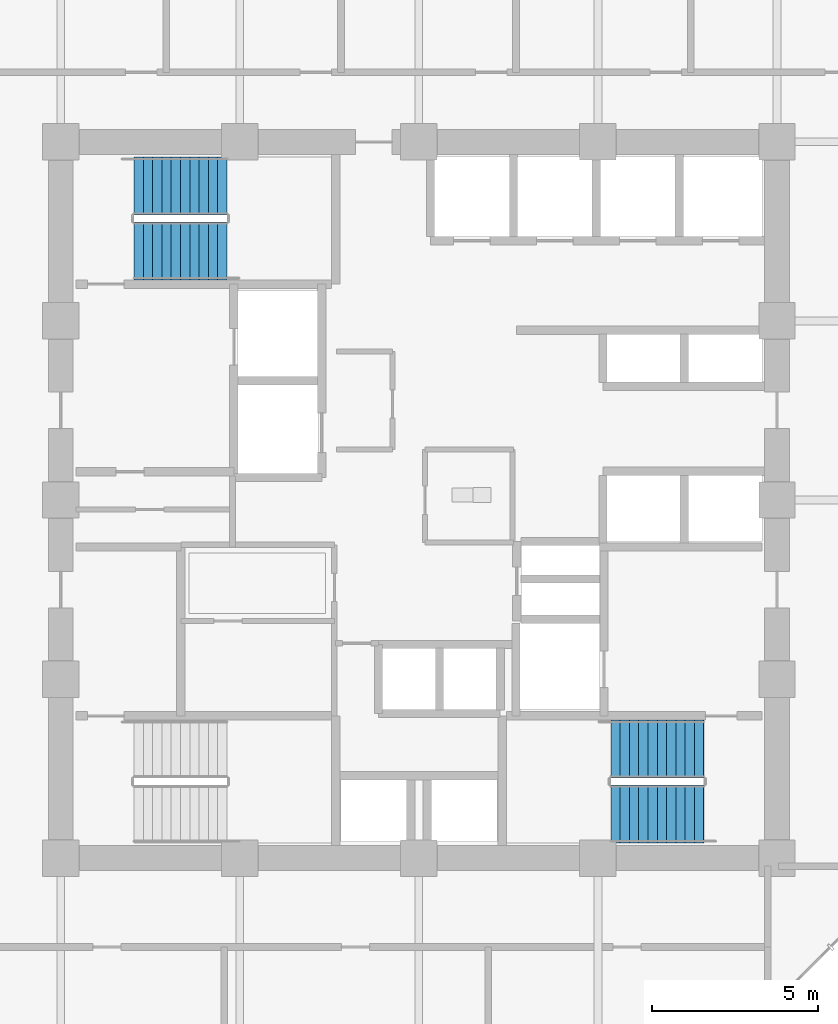
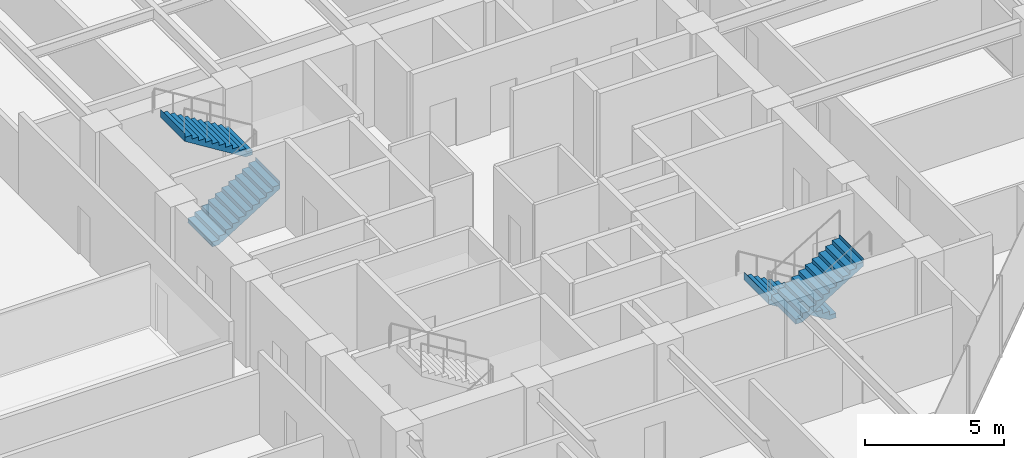
# One storey, part 22 of 25: 4 stair flights, 2 elements without a shape of their own.
"""IFC4 building model written with IfcOpenShell, lengths in metres."""

from ifc_helpers import new_model, si_unit, direction, frame, origin, place, context, subcontext, project, spatial, polyline, outline, extrude, material, type_object, element, aggregate, save


model = new_model("IFC4")

# Units and contexts
model_context = context("Model", 3, precision=1e-05, world=origin(), true_north=direction((0.0, 1.0)))
body_context = subcontext(model_context, "Body", "Model", "MODEL_VIEW")
ifc_project = project(units=[si_unit("LENGTHUNIT", "METRE"), si_unit("AREAUNIT", "SQUARE_METRE"), si_unit("VOLUMEUNIT", "CUBIC_METRE"), si_unit("PLANEANGLEUNIT", "RADIAN"), si_unit("MASSUNIT", "GRAM", prefix="KILO")], contexts=[model_context])

# Site, building, storey
site_placement = place(None, origin())
site = spatial("IfcSite", under=ifc_project, at=site_placement, CompositionType="ELEMENT")
building_placement = place(site_placement, origin())
building = spatial("IfcBuilding", under=site, at=building_placement, Name="Surkhivell Harbour Commons", CompositionType="ELEMENT")
storey_placement = place(building_placement, frame((0.0, 0.0, 120.75)))
storey = spatial("IfcBuildingStorey", under=building, at=storey_placement, Name="L31", CompositionType="ELEMENT", Elevation=120.75)

# Stair, stair flights
ifc_material = material(Name="Precast concrete C45/55", Category="concrete")
stair_type = type_object("IfcStairType", Name="STR-DL-375", PredefinedType="HALF_TURN_STAIR", material=ifc_material)
stair_1_placement = place(storey_placement, origin())
stair_1 = element("IfcStair", 1, at=stair_1_placement, inside=storey, type_object=stair_type, Name="L31 Core Exit Stair ST1", PredefinedType="HALF_TURN_STAIR")
stair_flight_type = type_object("IfcStairFlightType", Name="STF-DL-375", PredefinedType="STRAIGHT", material=ifc_material)
stair_flight_1_placement = place(storey_placement, frame((-8.590087890625, 7.514892578125, 0.0), z_axis=(0.0, 0.0, 1.0), x_axis=(1.0, 0.0, 0.0)))
stair_flight_1 = element("IfcStairFlight", 2, at=stair_flight_1_placement, type_object=stair_flight_type, Name="ST1 flight 1", NumberOfRisers=11, NumberOfTreads=10, PredefinedType="STRAIGHT", RiserHeight=0.170454545, TreadLength=0.28, context=body_context, shape_type="SweptSolid", body=[
    extrude(outline(polyline([(-0.0029296875, -0.034912109375), (-0.0029296875, 0.0), (0.0, 0.0), (0.0, 0.17041015625), (0.280029296875, 0.17041015625), (0.280029296875, 0.3408203125), (0.56005859375, 0.3408203125), (0.56005859375, 0.511474609375), (0.840087890625, 0.511474609375), (0.840087890625, 0.681884765625), (1.1201171875, 0.681884765625), (1.1201171875, 0.852294921875), (1.39990234375, 0.852294921875), (1.39990234375, 1.022705078125), (1.679931640625, 1.022705078125), (1.679931640625, 1.193115234375), (1.9599609375, 1.193115234375), (1.9599609375, 1.363525390625), (2.239990234375, 1.363525390625), (2.239990234375, 1.5341796875), (2.52001953125, 1.5341796875), (2.52001953125, 1.70458984375), (2.800048828125, 1.70458984375), (2.800048828125, 1.875), (2.802978515625, 1.875), (2.802978515625, 1.529052734375), (0.288330078125, -0.034912109375), (-0.0029296875, -0.034912109375)])), frame((0.0, 0.875, 0.0), z_axis=(0.0, -1.0, 0.0), x_axis=(1.0, 0.0, 0.0)), (0.0, 0.0, 1.0), 1.75),
])
stair_flight_2_placement = place(storey_placement, frame((-5.7900390625, 9.465087890625, 1.875), z_axis=(0.0, 0.0, 1.0), x_axis=(-1.0, 0.0, 0.0)))
stair_flight_2 = element("IfcStairFlight", 3, at=stair_flight_2_placement, type_object=stair_flight_type, Name="ST1 flight 2", NumberOfRisers=11, NumberOfTreads=10, PredefinedType="STRAIGHT", RiserHeight=0.170454545, TreadLength=0.28, context=body_context, shape_type="SweptSolid", body=[
    extrude(outline(polyline([(-0.0029296875, -0.034912109375), (-0.0029296875, 0.0), (0.0, 0.0), (0.0, 0.17041015625), (0.280029296875, 0.17041015625), (0.280029296875, 0.3408203125), (0.56005859375, 0.3408203125), (0.56005859375, 0.511474609375), (0.840087890625, 0.511474609375), (0.840087890625, 0.681884765625), (1.1201171875, 0.681884765625), (1.1201171875, 0.852294921875), (1.39990234375, 0.852294921875), (1.39990234375, 1.022705078125), (1.679931640625, 1.022705078125), (1.679931640625, 1.193115234375), (1.9599609375, 1.193115234375), (1.9599609375, 1.363525390625), (2.239990234375, 1.363525390625), (2.239990234375, 1.5341796875), (2.52001953125, 1.5341796875), (2.52001953125, 1.70458984375), (2.800048828125, 1.70458984375), (2.800048828125, 1.875), (2.802978515625, 1.875), (2.802978515625, 1.529052734375), (0.288330078125, -0.034912109375), (-0.0029296875, -0.034912109375)])), frame((0.0, 0.875, 0.0), z_axis=(0.0, -1.0, 0.0), x_axis=(1.0, 0.0, 0.0)), (0.0, 0.0, 1.0), 1.75),
])
aggregate(stair_1, [stair_flight_1, stair_flight_2])

stair_2_placement = place(storey_placement, origin())
stair_2 = element("IfcStair", 4, at=stair_2_placement, inside=storey, type_object=stair_type, Name="L31 Core Exit Stair ST2", PredefinedType="HALF_TURN_STAIR")
stair_flight_3_placement = place(storey_placement, frame((8.590087890625, -7.514892578125, 0.0), z_axis=(0.0, 0.0, 1.0), x_axis=(-1.0, 0.0, 0.0)))
stair_flight_3 = element("IfcStairFlight", 5, at=stair_flight_3_placement, type_object=stair_flight_type, Name="ST2 flight 1", NumberOfRisers=11, NumberOfTreads=10, PredefinedType="STRAIGHT", RiserHeight=0.170454545, TreadLength=0.28, context=body_context, shape_type="SweptSolid", body=[
    extrude(outline(polyline([(-0.0029296875, -0.034912109375), (-0.0029296875, 0.0), (0.0, 0.0), (0.0, 0.17041015625), (0.280029296875, 0.17041015625), (0.280029296875, 0.3408203125), (0.56005859375, 0.3408203125), (0.56005859375, 0.511474609375), (0.840087890625, 0.511474609375), (0.840087890625, 0.681884765625), (1.1201171875, 0.681884765625), (1.1201171875, 0.852294921875), (1.39990234375, 0.852294921875), (1.39990234375, 1.022705078125), (1.679931640625, 1.022705078125), (1.679931640625, 1.193115234375), (1.9599609375, 1.193115234375), (1.9599609375, 1.363525390625), (2.239990234375, 1.363525390625), (2.239990234375, 1.5341796875), (2.52001953125, 1.5341796875), (2.52001953125, 1.70458984375), (2.800048828125, 1.70458984375), (2.800048828125, 1.875), (2.802978515625, 1.875), (2.802978515625, 1.529052734375), (0.288330078125, -0.034912109375), (-0.0029296875, -0.034912109375)])), frame((0.0, 0.875, 0.0), z_axis=(0.0, -1.0, 0.0), x_axis=(1.0, 0.0, 0.0)), (0.0, 0.0, 1.0), 1.75),
])
stair_flight_4_placement = place(storey_placement, frame((5.7900390625, -9.465087890625, 1.875), z_axis=(0.0, 0.0, 1.0), x_axis=(1.0, 0.0, 0.0)))
stair_flight_4 = element("IfcStairFlight", 6, at=stair_flight_4_placement, type_object=stair_flight_type, Name="ST2 flight 2", NumberOfRisers=11, NumberOfTreads=10, PredefinedType="STRAIGHT", RiserHeight=0.170454545, TreadLength=0.28, context=body_context, shape_type="SweptSolid", body=[
    extrude(outline(polyline([(-0.0029296875, -0.034912109375), (-0.0029296875, 0.0), (0.0, 0.0), (0.0, 0.17041015625), (0.280029296875, 0.17041015625), (0.280029296875, 0.3408203125), (0.56005859375, 0.3408203125), (0.56005859375, 0.511474609375), (0.840087890625, 0.511474609375), (0.840087890625, 0.681884765625), (1.1201171875, 0.681884765625), (1.1201171875, 0.852294921875), (1.39990234375, 0.852294921875), (1.39990234375, 1.022705078125), (1.679931640625, 1.022705078125), (1.679931640625, 1.193115234375), (1.9599609375, 1.193115234375), (1.9599609375, 1.363525390625), (2.239990234375, 1.363525390625), (2.239990234375, 1.5341796875), (2.52001953125, 1.5341796875), (2.52001953125, 1.70458984375), (2.800048828125, 1.70458984375), (2.800048828125, 1.875), (2.802978515625, 1.875), (2.802978515625, 1.529052734375), (0.288330078125, -0.034912109375), (-0.0029296875, -0.034912109375)])), frame((0.0, 0.875, 0.0), z_axis=(0.0, -1.0, 0.0), x_axis=(1.0, 0.0, 0.0)), (0.0, 0.0, 1.0), 1.75),
])
aggregate(stair_2, [stair_flight_3, stair_flight_4])

save(model, "model.ifc")
